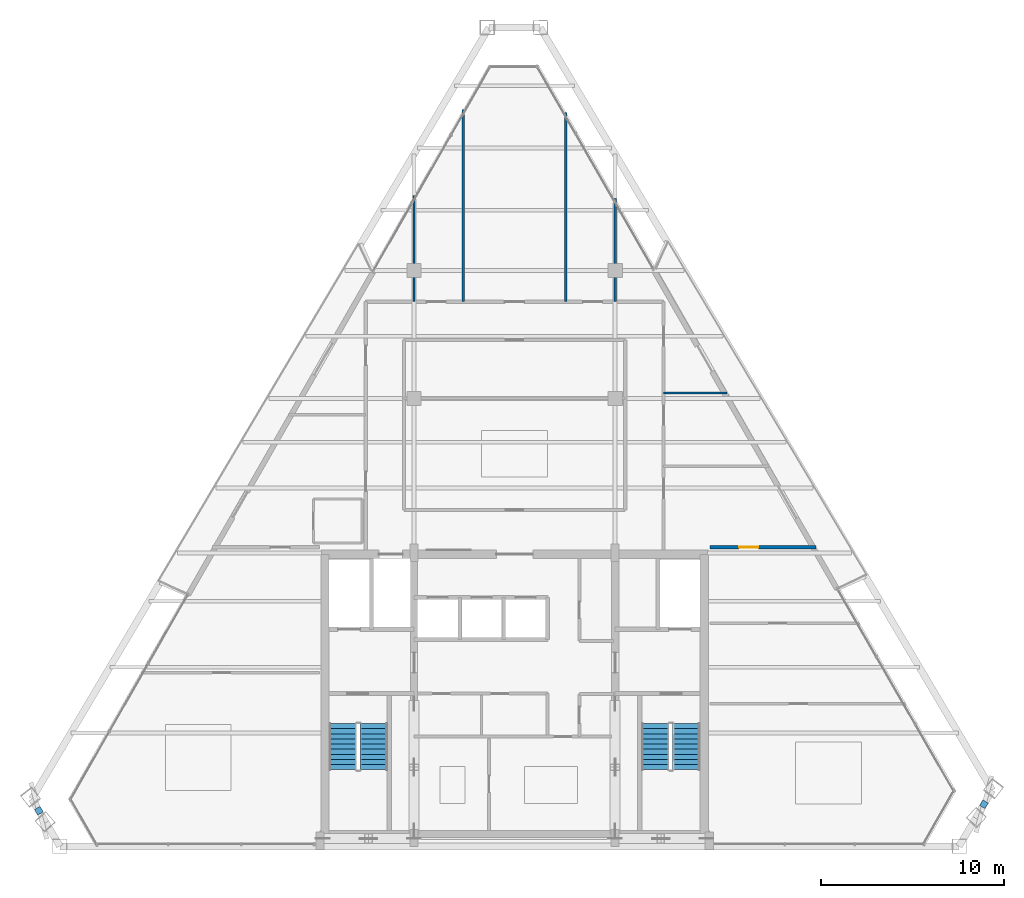
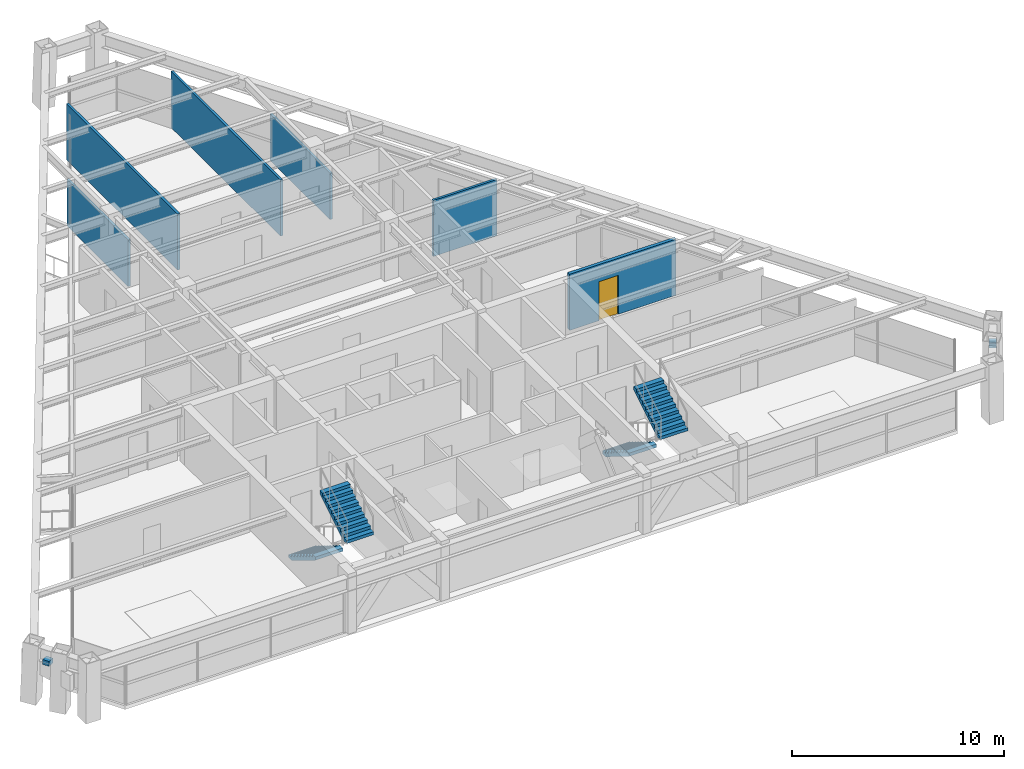
# One storey, part 11 of 13: 6 walls, 4 stair flights, 2 discrete accessories, 1 door, 1 opening, 2 elements without a shape of their own.
"""IFC4 building model written with IfcOpenShell, lengths in metres."""

from ifc_helpers import new_model, si_unit, direction, frame, frame_2d, origin, origin_2d, place, context, subcontext, project, spatial, polyline, rectangle, outline, extrude, source, transform, mapped, material, layer, layer_set, type_object, type_shapes, element, fill, aggregate, save


model = new_model("IFC4")

# Units and contexts
model_context = context("Model", 3, precision=1e-05, world=origin(), true_north=direction((0.0, 1.0)))
body_context = subcontext(model_context, "Body", "Model", "MODEL_VIEW")
ifc_project = project(units=[si_unit("LENGTHUNIT", "METRE"), si_unit("AREAUNIT", "SQUARE_METRE"), si_unit("VOLUMEUNIT", "CUBIC_METRE"), si_unit("PLANEANGLEUNIT", "RADIAN"), si_unit("MASSUNIT", "GRAM", prefix="KILO")], contexts=[model_context])

# Site, building, storey
site_placement = place(None, origin())
site = spatial("IfcSite", under=ifc_project, at=site_placement, CompositionType="ELEMENT")
building_placement = place(site_placement, origin())
building = spatial("IfcBuilding", under=site, at=building_placement, Name="Varnakhor Terracotta Tower", CompositionType="ELEMENT")
storey_placement = place(building_placement, frame((0.0, 0.0, 297.14990234375)))
storey = spatial("IfcBuildingStorey", under=building, at=storey_placement, Name="L78", CompositionType="ELEMENT", Elevation=297.14990234375)

# Wall, opening, door
ifc_material_1 = material(Name="Fire-Rated Gypsum Stud Partition", Category="gypsum")
ifc_layer_1 = layer(ifc_material_1, 0.18505859375, Name="Fire-Rated Gypsum Stud Partition")
ifc_layer_set_1 = layer_set([ifc_layer_1], Name="Fire-Rated Gypsum Stud Partition")
wall_type_1 = type_object("IfcWallType", Name="WAL-CORR-185", PredefinedType="PARTITIONING", material=ifc_layer_set_1)
wall_1_placement = place(storey_placement, frame((10.679931640625, 16.35009765625, 0.0), z_axis=(0.0, 0.0, 1.0), x_axis=(1.0, 0.0, 0.0)))
wall_1 = element("IfcWall", 1, at=wall_1_placement, inside=storey, type_object=wall_type_1, Name="L78 South East Guest Entry Wall", PredefinedType="PARTITIONING", context=body_context, shape_type="SweptSolid", body=[
    extrude(rectangle(XDim=5.8056640625, YDim=0.18505859375, at=frame_2d((2.90283203125, 0.0))), origin(), (0.0, 0.0, 1.0), 3.232177734375),
])
opening_placement = place(wall_1_placement, frame((1.60888671875, 0.0, 0.0)))
opening = element("IfcOpeningElement", 2, at=opening_placement, cuts=wall_1, Name="Opening DR-95", PredefinedType="OPENING", context=body_context, shape_type="SweptSolid", body=[
    extrude(rectangle(XDim=1.050048828125, YDim=2.25, at=frame_2d((0.52490234375, 1.125))), frame((0.0, 0.1025390625, 0.0), z_axis=(0.0, -1.0, 0.0), x_axis=(1.0, 0.0, 0.0)), (0.0, 0.0, 1.0), 0.205078125),
])
ifc_material_2 = material(Name="Solid-Core Timber Tenant/Hotel Entrance Door", Category="wood")
door_type = type_object("IfcDoorType", Name="DR-SUITE-1050X2250", OperationType="NOTDEFINED", PredefinedType="DOOR", material=ifc_material_2)
shared_shape_1 = source(origin(), body_context, "Body", "SweptSolid", [
    extrude(rectangle(XDim=1.050048828125, YDim=2.25, at=frame_2d((0.52490234375, 1.125))), frame((0.0, 0.02490234375, 0.0), z_axis=(0.0, -1.0, 0.0), x_axis=(1.0, 0.0, 0.0)), (0.0, 0.0, 1.0), 0.050048828125),
])
type_shapes(door_type, [shared_shape_1])
door_placement = place(opening_placement, origin())
door = element("IfcDoor", 3, at=door_placement, inside=storey, type_object=door_type, Name="L78 SE Suite Entry Door", OperationType="SINGLE_SWING_RIGHT", OverallHeight=2.25, OverallWidth=1.050048828125, PredefinedType="DOOR", context=body_context, shape_type="MappedRepresentation", body=[
    mapped(shared_shape_1, transform((0.0, 0.0, 0.0), scale=1.0)),
])
fill(opening, door)

# Walls
ifc_material_3 = material(Name="Acoustic Hotel Room Partition", Category="gypsum")
ifc_layer_2 = layer(ifc_material_3, 0.1298828125, Name="Acoustic Hotel Room Partition")
ifc_layer_set_2 = layer_set([ifc_layer_2], Name="Acoustic Hotel Room Partition")
wall_type_2 = type_object("IfcWallType", Name="WAL-PART-130", PredefinedType="PARTITIONING", material=ifc_layer_set_2)
wall_2_placement = place(storey_placement, frame((-5.5, 29.800048828125, 0.0), z_axis=(0.0, 0.0, 1.0), x_axis=(0.0, 1.0, 0.0)))
element("IfcWall", 4, at=wall_2_placement, inside=storey, type_object=wall_type_2, Name="L78 North West Column Wall", PredefinedType="PARTITIONING", context=body_context, shape_type="SweptSolid", body=[
    extrude(rectangle(XDim=5.789794921875, YDim=0.1298828125, at=frame_2d((2.89501953125, 0.0))), origin(), (0.0, 0.0, 1.0), 2.68310546875),
])
wall_3_placement = place(storey_placement, frame((5.5, 29.800048828125, 0.0), z_axis=(0.0, 0.0, 1.0), x_axis=(0.0, 1.0, 0.0)))
element("IfcWall", 5, at=wall_3_placement, inside=storey, type_object=wall_type_2, Name="L78 North East Column Wall", PredefinedType="PARTITIONING", context=body_context, shape_type="SweptSolid", body=[
    extrude(rectangle(XDim=5.6484375, YDim=0.1298828125, at=frame_2d((2.82421875, 0.0))), origin(), (0.0, 0.0, 1.0), 2.68310546875),
])
wall_4_placement = place(storey_placement, frame((-2.800048828125, 29.800048828125, 0.0), z_axis=(0.0, 0.0, 1.0), x_axis=(0.0, 1.0, 0.0)))
element("IfcWall", 6, at=wall_4_placement, inside=storey, type_object=wall_type_2, Name="L78 North Suite Split 1", PredefinedType="PARTITIONING", context=body_context, shape_type="SweptSolid", body=[
    extrude(rectangle(XDim=10.50244140625, YDim=0.1298828125, at=frame_2d((5.251220703125, 0.0))), origin(), (0.0, 0.0, 1.0), 3.232177734375),
])
wall_5_placement = place(storey_placement, frame((2.800048828125, 29.800048828125, 0.0), z_axis=(0.0, 0.0, 1.0), x_axis=(0.0, 1.0, 0.0)))
element("IfcWall", 7, at=wall_5_placement, inside=storey, type_object=wall_type_2, Name="L78 North Suite Split 2", PredefinedType="PARTITIONING", context=body_context, shape_type="SweptSolid", body=[
    extrude(rectangle(XDim=10.342529296875, YDim=0.1298828125, at=frame_2d((5.17138671875, 0.0))), origin(), (0.0, 0.0, 1.0), 3.232177734375),
])
wall_6_placement = place(storey_placement, frame((8.14990234375, 24.800048828125, 0.0), z_axis=(0.0, 0.0, 1.0), x_axis=(1.0, 0.0, 0.0)))
element("IfcWall", 8, at=wall_6_placement, inside=storey, type_object=wall_type_2, Name="L78 East Key Cut 2", PredefinedType="PARTITIONING", context=body_context, shape_type="SweptSolid", body=[
    extrude(rectangle(XDim=3.47509765625, YDim=0.1298828125, at=frame_2d((1.737548828125, 0.0))), origin(), (0.0, 0.0, 1.0), 3.232177734375),
])

# Stair, stair flights
ifc_material_4 = material(Name="Concrete C40/50", Category="concrete")
stair_type = type_object("IfcStairType", Name="STR-CORE-HOTEL-1500", PredefinedType="HALF_TURN_STAIR", material=ifc_material_4)
stair_1_placement = place(storey_placement, origin())
stair_1 = element("IfcStair", 9, at=stair_1_placement, inside=storey, type_object=stair_type, Name="L78 Core Exit Stair ST-1", PredefinedType="HALF_TURN_STAIR")
stair_flight_type = type_object("IfcStairFlightType", Name="FLT-HOTEL-1500", PredefinedType="STRAIGHT", material=ifc_material_4)
stair_flight_1_placement = place(storey_placement, frame((-9.39990234375, 6.7099609375, 0.0), z_axis=(0.0, 0.0, 1.0), x_axis=(0.0, -1.0, 0.0)))
stair_flight_1 = element("IfcStairFlight", 10, at=stair_flight_1_placement, type_object=stair_flight_type, Name="ST-1 flight 1", NumberOfRisers=10, NumberOfTreads=9, PredefinedType="STRAIGHT", RiserHeight=0.1725, TreadLength=0.28, context=body_context, shape_type="SweptSolid", body=[
    extrude(outline(polyline([(0.0, 0.0), (0.0, 0.172607421875), (0.280029296875, 0.172607421875), (0.280029296875, 0.344970703125), (0.56005859375, 0.344970703125), (0.56005859375, 0.517578125), (0.840087890625, 0.517578125), (0.840087890625, 0.68994140625), (1.1201171875, 0.68994140625), (1.1201171875, 0.862548828125), (1.39990234375, 0.862548828125), (1.39990234375, 1.034912109375), (1.679931640625, 1.034912109375), (1.679931640625, 1.20751953125), (1.9599609375, 1.20751953125), (1.9599609375, 1.3798828125), (2.239990234375, 1.3798828125), (2.239990234375, 1.552490234375), (2.52001953125, 1.552490234375), (2.52001953125, 1.72509765625), (2.52001953125, 1.36474609375), (0.304931640625, 0.0), (0.0, 0.0)])), frame((0.0, 0.75, 0.0), z_axis=(0.0, -1.0, 0.0), x_axis=(1.0, 0.0, 0.0)), (0.0, 0.0, 1.0), 1.5),
])
stair_flight_2_placement = place(storey_placement, frame((-7.699951171875, 4.18994140625, 1.72509765625), z_axis=(0.0, 0.0, 1.0), x_axis=(0.0, 1.0, 0.0)))
stair_flight_2 = element("IfcStairFlight", 11, at=stair_flight_2_placement, type_object=stair_flight_type, Name="ST-1 flight 2", NumberOfRisers=10, NumberOfTreads=9, PredefinedType="STRAIGHT", RiserHeight=0.1725, TreadLength=0.28, context=body_context, shape_type="SweptSolid", body=[
    extrude(outline(polyline([(0.0, 0.0), (0.0, 0.172607421875), (0.280029296875, 0.172607421875), (0.280029296875, 0.344970703125), (0.56005859375, 0.344970703125), (0.56005859375, 0.517578125), (0.840087890625, 0.517578125), (0.840087890625, 0.68994140625), (1.1201171875, 0.68994140625), (1.1201171875, 0.862548828125), (1.39990234375, 0.862548828125), (1.39990234375, 1.034912109375), (1.679931640625, 1.034912109375), (1.679931640625, 1.20751953125), (1.9599609375, 1.20751953125), (1.9599609375, 1.3798828125), (2.239990234375, 1.3798828125), (2.239990234375, 1.552490234375), (2.52001953125, 1.552490234375), (2.52001953125, 1.72509765625), (2.52001953125, 1.36474609375), (0.304931640625, 0.0), (0.0, 0.0)])), frame((0.0, 0.75, 0.0), z_axis=(0.0, -1.0, 0.0), x_axis=(1.0, 0.0, 0.0)), (0.0, 0.0, 1.0), 1.5),
])
aggregate(stair_1, [stair_flight_1, stair_flight_2])

stair_2_placement = place(storey_placement, origin())
stair_2 = element("IfcStair", 12, at=stair_2_placement, inside=storey, type_object=stair_type, Name="L78 Core Exit Stair ST-2", PredefinedType="HALF_TURN_STAIR")
stair_flight_3_placement = place(storey_placement, frame((7.699951171875, 6.7099609375, 0.0), z_axis=(0.0, 0.0, 1.0), x_axis=(0.0, -1.0, 0.0)))
stair_flight_3 = element("IfcStairFlight", 13, at=stair_flight_3_placement, type_object=stair_flight_type, Name="ST-2 flight 1", NumberOfRisers=10, NumberOfTreads=9, PredefinedType="STRAIGHT", RiserHeight=0.1725, TreadLength=0.28, context=body_context, shape_type="SweptSolid", body=[
    extrude(outline(polyline([(0.0, 0.0), (0.0, 0.172607421875), (0.280029296875, 0.172607421875), (0.280029296875, 0.344970703125), (0.56005859375, 0.344970703125), (0.56005859375, 0.517578125), (0.840087890625, 0.517578125), (0.840087890625, 0.68994140625), (1.1201171875, 0.68994140625), (1.1201171875, 0.862548828125), (1.39990234375, 0.862548828125), (1.39990234375, 1.034912109375), (1.679931640625, 1.034912109375), (1.679931640625, 1.20751953125), (1.9599609375, 1.20751953125), (1.9599609375, 1.3798828125), (2.239990234375, 1.3798828125), (2.239990234375, 1.552490234375), (2.52001953125, 1.552490234375), (2.52001953125, 1.72509765625), (2.52001953125, 1.36474609375), (0.304931640625, 0.0), (0.0, 0.0)])), frame((0.0, 0.75, 0.0), z_axis=(0.0, -1.0, 0.0), x_axis=(1.0, 0.0, 0.0)), (0.0, 0.0, 1.0), 1.5),
])
stair_flight_4_placement = place(storey_placement, frame((9.39990234375, 4.18994140625, 1.72509765625), z_axis=(0.0, 0.0, 1.0), x_axis=(0.0, 1.0, 0.0)))
stair_flight_4 = element("IfcStairFlight", 14, at=stair_flight_4_placement, type_object=stair_flight_type, Name="ST-2 flight 2", NumberOfRisers=10, NumberOfTreads=9, PredefinedType="STRAIGHT", RiserHeight=0.1725, TreadLength=0.28, context=body_context, shape_type="SweptSolid", body=[
    extrude(outline(polyline([(0.0, 0.0), (0.0, 0.172607421875), (0.280029296875, 0.172607421875), (0.280029296875, 0.344970703125), (0.56005859375, 0.344970703125), (0.56005859375, 0.517578125), (0.840087890625, 0.517578125), (0.840087890625, 0.68994140625), (1.1201171875, 0.68994140625), (1.1201171875, 0.862548828125), (1.39990234375, 0.862548828125), (1.39990234375, 1.034912109375), (1.679931640625, 1.034912109375), (1.679931640625, 1.20751953125), (1.9599609375, 1.20751953125), (1.9599609375, 1.3798828125), (2.239990234375, 1.3798828125), (2.239990234375, 1.552490234375), (2.52001953125, 1.552490234375), (2.52001953125, 1.72509765625), (2.52001953125, 1.36474609375), (0.304931640625, 0.0), (0.0, 0.0)])), frame((0.0, 0.75, 0.0), z_axis=(0.0, -1.0, 0.0), x_axis=(1.0, 0.0, 0.0)), (0.0, 0.0, 1.0), 1.5),
])
aggregate(stair_2, [stair_flight_3, stair_flight_4])

# Discrete accessories
ifc_material_5 = material(Name="Stainless Steel Fixing Bracket", Category="steel")
discrete_accessory_type = type_object("IfcDiscreteAccessoryType", Name="BRACKET-TERRACOTTA-SCREEN", PredefinedType="BRACKET", material=ifc_material_5)
shared_shape_2 = source(origin(), body_context, "Body", "SweptSolid", [
    extrude(rectangle(XDim=0.35009765625, YDim=0.35009765625, at=origin_2d()), origin(), (0.0, 0.0, 1.0), 0.280029296875),
])
type_shapes(discrete_accessory_type, [shared_shape_2])
for number, where, z_axis, x_axis, name in (
    (15, (25.67919921875, 2.298583984375, 2.3369140625), (0.0, 0.0, 1.0), (0.509927489867, 0.860217388267, 0.0), "L78 E Screen Fixing Bracket"),
    (16, (-26.0283203125, 1.94482421875, 2.3369140625), (0.0, 0.0, 1.0), (0.509927489867, -0.860217388267, 0.0), "L78 W Screen Fixing Bracket"),
):
    element("IfcDiscreteAccessory", number, at=place(storey_placement, frame(where, z_axis=z_axis, x_axis=x_axis)), inside=storey, type_object=discrete_accessory_type, Name=name, PredefinedType="BRACKET", context=body_context, shape_type="MappedRepresentation", body=[
        mapped(shared_shape_2, transform((0.0, 0.0, 0.0), scale=1.0)),
    ])

save(model, "model.ifc")
